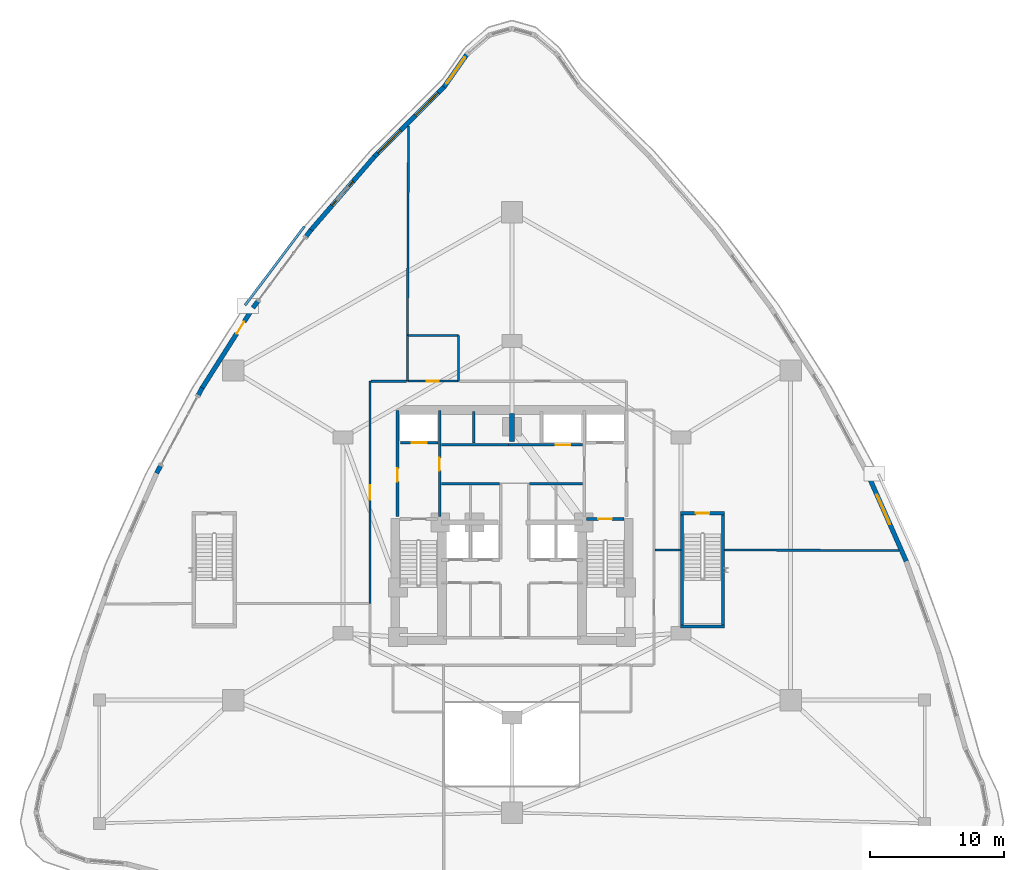
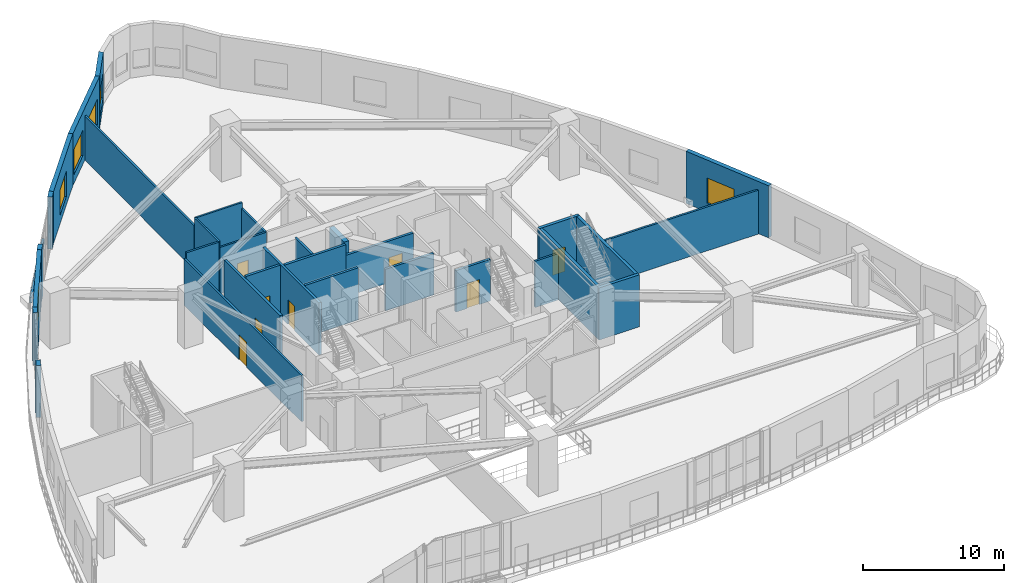
# One storey, part 17 of 25: 33 walls, 9 doors, 5 windows, 14 openings.
"""IFC4 building model written with IfcOpenShell, lengths in metres."""

from ifc_helpers import new_model, si_unit, direction, frame, frame_2d, origin, place, context, subcontext, project, spatial, rectangle, extrude, material, layer, layer_set, type_object, element, fill, save


model = new_model("IFC4")

# Units and contexts
model_context = context("Model", 3, precision=1e-05, world=origin(), true_north=direction((0.0, 1.0)))
body_context = subcontext(model_context, "Body", "Model", "MODEL_VIEW")
ifc_project = project(units=[si_unit("LENGTHUNIT", "METRE"), si_unit("AREAUNIT", "SQUARE_METRE"), si_unit("VOLUMEUNIT", "CUBIC_METRE"), si_unit("PLANEANGLEUNIT", "RADIAN"), si_unit("MASSUNIT", "GRAM", prefix="KILO")], contexts=[model_context])

# Site, building, storey
site_placement = place(None, origin())
site = spatial("IfcSite", under=ifc_project, at=site_placement, CompositionType="ELEMENT")
building_placement = place(site_placement, origin())
building = spatial("IfcBuilding", under=site, at=building_placement, Name="Miruveldt Soraemaru", CompositionType="ELEMENT")
storey_placement = place(building_placement, frame((0.0, 0.0, 4.800048828125)))
storey = spatial("IfcBuildingStorey", under=building, at=storey_placement, Name="L02", CompositionType="ELEMENT", Elevation=4.800048828125)

# Wall
ifc_material_1 = material(Name="Concrete C70/85 (70 MPa)", Category="concrete")
ifc_layer_1 = layer(ifc_material_1, 0.5, Name="Concrete C70/85 (70 MPa)", Category="concrete")
ifc_layer_set_1 = layer_set([ifc_layer_1], Name="Concrete C70/85 (70 MPa)")
wall_type_1 = type_object("IfcWallType", Name="WALL-BW-500", PredefinedType="SHEAR", material=ifc_layer_set_1)
wall_1_placement = place(storey_placement, frame((44.0, 50.10009765625, 0.0), z_axis=(0.0, 0.0, 1.0), x_axis=(0.0, 1.0, 0.0)))
element("IfcWall", 1, at=wall_1_placement, inside=storey, type_object=wall_type_1, Name="L02 Core Buttress Shear Wall BN", PredefinedType="SHEAR", context=body_context, shape_type="SweptSolid", body=[
    extrude(rectangle(XDim=2.099853515625, YDim=0.39990234375, at=frame_2d((1.0498046875, 0.0))), origin(), (0.0, 0.0, 1.0), 4.5),
])

# Wall, opening, door
ifc_material_2 = material(Name="Concrete C50/60 (50 MPa)", Category="concrete")
ifc_layer_2 = layer(ifc_material_2, 0.419921875, Name="Concrete C50/60 (50 MPa)", Category="concrete")
ifc_layer_set_2 = layer_set([ifc_layer_2], Name="Concrete C50/60 (50 MPa)")
wall_type_2 = type_object("IfcWallType", Name="WALL-CW-420", PredefinedType="SHEAR", material=ifc_layer_set_2)
wall_2_placement = place(storey_placement, frame((56.580078125, 44.75, 0.0), z_axis=(0.0, 0.0, 1.0), x_axis=(1.0, 0.0, 0.0)))
wall_2 = element("IfcWall", 2, at=wall_2_placement, inside=storey, type_object=wall_type_2, Name="L02 Podium Garden Feature Stair ST-4 Structural Shaft Wall N", PredefinedType="SHEAR", context=body_context, shape_type="SweptSolid", body=[
    extrude(rectangle(XDim=3.2900390625, YDim=0.239990234375, at=frame_2d((1.64501953125, 0.0))), origin(), (0.0, 0.0, 1.0), 4.5),
])
opening_1_placement = place(wall_2_placement, frame((1.14501953125, 0.0, 0.0)))
opening_1 = element("IfcOpeningElement", 3, at=opening_1_placement, cuts=wall_2, Name="Opening FD1", PredefinedType="OPENING", context=body_context, shape_type="SweptSolid", body=[
    extrude(rectangle(XDim=1.0, YDim=2.14990234375, at=frame_2d((0.5, 1.074951171875))), frame((0.0, 0.1298828125, 0.0), z_axis=(0.0, -1.0, 0.0), x_axis=(1.0, 0.0, 0.0)), (0.0, 0.0, 1.0), 0.260009765625),
])
ifc_material_3 = material(Name="Anodised aluminium EN AW-6063 T6", Category="aluminium")
door_type_1 = type_object("IfcDoorType", Name="DOOR-FD1-1000", OperationType="NOTDEFINED", PredefinedType="DOOR", material=ifc_material_3)
door_1_placement = place(opening_1_placement, frame((1.0, 0.0, 0.0), z_axis=(0.0, 0.0, 1.0), x_axis=(-1.0, 0.0, 0.0)))
door_1 = element("IfcDoor", 4, at=door_1_placement, inside=storey, type_object=door_type_1, Name="L02 Podium Garden Feature Stair ST-4 Fire Door", OperationType="SINGLE_SWING_LEFT", OverallHeight=2.14990234375, OverallWidth=1.0, PredefinedType="DOOR", context=body_context, shape_type="SweptSolid", body=[
    extrude(rectangle(XDim=1.0, YDim=2.14990234375, at=frame_2d((0.5, 1.074951171875))), frame((0.0, 0.02490234375, 0.0), z_axis=(0.0, -1.0, 0.0), x_axis=(1.0, 0.0, 0.0)), (0.0, 0.0, 1.0), 0.050048828125),
])
fill(opening_1, door_1)

# Walls
for number, where, z_axis, x_axis, name in (
    (5, (56.699951171875, 36.35009765625, 0.0), (0.0, 0.0, 1.0), (0.0, 1.0, 0.0), "L02 Podium Garden Feature Stair ST-4 Structural Shaft Wall W"),
    (6, (59.75, 36.35009765625, 0.0), (0.0, 0.0, 1.0), (0.0, 1.0, 0.0), "L02 Podium Garden Feature Stair ST-4 Structural Shaft Wall E"),
):
    element("IfcWall", number, at=place(storey_placement, frame(where, z_axis=z_axis, x_axis=x_axis)), inside=storey, type_object=wall_type_2, Name=name, PredefinedType="SHEAR", context=body_context, shape_type="SweptSolid", body=[
        extrude(rectangle(XDim=8.349853515625, YDim=0.239990234375, at=frame_2d((4.1748046875, 0.0))), origin(), (0.0, 0.0, 1.0), 4.5),
    ])
wall_3_placement = place(storey_placement, frame((56.580078125, 36.300048828125, 0.0), z_axis=(0.0, 0.0, 1.0), x_axis=(1.0, 0.0, 0.0)))
element("IfcWall", 7, at=wall_3_placement, inside=storey, type_object=wall_type_2, Name="L02 Podium Garden Feature Stair ST-4 Structural Shaft Wall S", PredefinedType="SHEAR", context=body_context, shape_type="SweptSolid", body=[
    extrude(rectangle(XDim=3.2900390625, YDim=0.239990234375, at=frame_2d((1.64501953125, 0.0))), origin(), (0.0, 0.0, 1.0), 4.5),
])

# Wall, opening, window
ifc_material_4 = material(Name="Precast concrete C45/55 (45 MPa)", Category="concrete")
ifc_layer_3 = layer(ifc_material_4, 0.340087890625, Name="Precast concrete C45/55 (45 MPa)", Category="concrete")
ifc_layer_set_3 = layer_set([ifc_layer_3], Name="Precast concrete C45/55 (45 MPa)")
wall_type_3 = type_object("IfcWallType", Name="WALL-EXT-PC340", PredefinedType="SOLIDWALL", material=ifc_layer_set_3)
wall_4_placement = place(storey_placement, frame((40.650146484375, 79.01953125, 0.0), z_axis=(0.0, 0.0, 1.0), x_axis=(-0.573413332859, -0.819266226387, 0.0)))
wall_4 = element("IfcWall", 8, at=wall_4_placement, inside=storey, type_object=wall_type_3, Name="L02 Precast Concrete Facade Wall 6", PredefinedType="SOLIDWALL", context=body_context, shape_type="SweptSolid", body=[
    extrude(rectangle(XDim=3.0087890625, YDim=0.340087890625, at=frame_2d((1.50439453125, 0.0))), origin(), (0.0, 0.0, 1.0), 4.5),
])
opening_2_placement = place(wall_4_placement, frame((0.304931640625, 0.0, 0.75)))
opening_2 = element("IfcOpeningElement", 9, at=opening_2_placement, cuts=wall_4, Name="Opening WN-5", PredefinedType="OPENING", context=body_context, shape_type="SweptSolid", body=[
    extrude(rectangle(XDim=2.39990234375, YDim=2.199951171875, at=frame_2d((1.199951171875, 1.10009765625))), frame((0.0, 0.18017578125, 0.0), z_axis=(0.0, -1.0, 0.0), x_axis=(1.0, 0.0, 0.0)), (0.0, 0.0, 1.0), 0.360107421875),
])
ifc_material_5 = material(Name="Triple low-e insulated glazing", Category="glass")
window_type = type_object("IfcWindowType", Name="WIN-PODM-2400x2200", PartitioningType="SINGLE_PANEL", PredefinedType="WINDOW", material=ifc_material_5)
window_1_placement = place(opening_2_placement, origin())
window_1 = element("IfcWindow", 10, at=window_1_placement, inside=storey, type_object=window_type, Name="L02 Punched Triple-Glazed Window 06.1", OverallHeight=2.199951171875, OverallWidth=2.39990234375, PartitioningType="SINGLE_PANEL", PredefinedType="WINDOW", context=body_context, shape_type="SweptSolid", body=[
    extrude(rectangle(XDim=2.39990234375, YDim=2.199951171875, at=frame_2d((1.199951171875, 1.10009765625))), frame((0.0, 0.030029296875, 0.0), z_axis=(0.0, -1.0, 0.0), x_axis=(1.0, 0.0, 0.0)), (0.0, 0.0, 1.0), 0.06005859375),
])
fill(opening_2, window_1)

# Wall, openings, windows
wall_5_placement = place(storey_placement, frame((38.9697265625, 76.60791015625, 0.0), z_axis=(0.0, 0.0, 1.0), x_axis=(-0.706565985712, -0.707647163377, 0.0)))
wall_5 = element("IfcWall", 11, at=wall_5_placement, inside=storey, type_object=wall_type_3, Name="L02 Precast Concrete Facade Wall 7", PredefinedType="SOLIDWALL", context=body_context, shape_type="SweptSolid", body=[
    extrude(rectangle(XDim=7.45166015625, YDim=0.340087890625, at=frame_2d((3.725830078125, 0.0))), origin(), (0.0, 0.0, 1.0), 4.5),
])
opening_3_placement = place(wall_5_placement, frame((0.679931640625, 0.0, 0.75)))
opening_3 = element("IfcOpeningElement", 12, at=opening_3_placement, cuts=wall_5, Name="Opening WN-5", PredefinedType="OPENING", context=body_context, shape_type="SweptSolid", body=[
    extrude(rectangle(XDim=2.39990234375, YDim=2.199951171875, at=frame_2d((1.199951171875, 1.10009765625))), frame((0.0, 0.18017578125, 0.0), z_axis=(0.0, -1.0, 0.0), x_axis=(1.0, 0.0, 0.0)), (0.0, 0.0, 1.0), 0.360107421875),
])
opening_4_placement = place(wall_5_placement, frame((4.64599609375, 0.0, 0.75)))
opening_4 = element("IfcOpeningElement", 13, at=opening_4_placement, cuts=wall_5, Name="Opening WN-5", PredefinedType="OPENING", context=body_context, shape_type="SweptSolid", body=[
    extrude(rectangle(XDim=2.39990234375, YDim=2.199951171875, at=frame_2d((1.199951171875, 1.10009765625))), frame((0.0, 0.18017578125, 0.0), z_axis=(0.0, -1.0, 0.0), x_axis=(1.0, 0.0, 0.0)), (0.0, 0.0, 1.0), 0.360107421875),
])
window_2_placement = place(opening_3_placement, origin())
window_2 = element("IfcWindow", 14, at=window_2_placement, inside=storey, type_object=window_type, Name="L02 Punched Triple-Glazed Window 07.1", OverallHeight=2.199951171875, OverallWidth=2.39990234375, PartitioningType="SINGLE_PANEL", PredefinedType="WINDOW", context=body_context, shape_type="SweptSolid", body=[
    extrude(rectangle(XDim=2.39990234375, YDim=2.199951171875, at=frame_2d((1.199951171875, 1.10009765625))), frame((0.0, 0.030029296875, 0.0), z_axis=(0.0, -1.0, 0.0), x_axis=(1.0, 0.0, 0.0)), (0.0, 0.0, 1.0), 0.06005859375),
])
fill(opening_3, window_2)
window_3_placement = place(opening_4_placement, origin())
window_3 = element("IfcWindow", 15, at=window_3_placement, inside=storey, type_object=window_type, Name="L02 Punched Triple-Glazed Window 07.2", OverallHeight=2.199951171875, OverallWidth=2.39990234375, PartitioningType="SINGLE_PANEL", PredefinedType="WINDOW", context=body_context, shape_type="SweptSolid", body=[
    extrude(rectangle(XDim=2.39990234375, YDim=2.199951171875, at=frame_2d((1.199951171875, 1.10009765625))), frame((0.0, 0.030029296875, 0.0), z_axis=(0.0, -1.0, 0.0), x_axis=(1.0, 0.0, 0.0)), (0.0, 0.0, 1.0), 0.06005859375),
])
fill(opening_4, window_3)

# Wall, opening, window
wall_6_placement = place(storey_placement, frame((33.752197265625, 71.385986328125, 0.0), z_axis=(0.0, 0.0, 1.0), x_axis=(-0.654356245841, -0.756186421148, 0.0)))
wall_6 = element("IfcWall", 16, at=wall_6_placement, inside=storey, type_object=wall_type_3, Name="L02 Precast Concrete Facade Wall 8", PredefinedType="SOLIDWALL", context=body_context, shape_type="SweptSolid", body=[
    extrude(rectangle(XDim=7.333984375, YDim=0.340087890625, at=frame_2d((3.6669921875, 0.0))), origin(), (0.0, 0.0, 1.0), 4.5),
])
opening_5_placement = place(wall_6_placement, frame((2.467041015625, 0.0, 0.75)))
opening_5 = element("IfcOpeningElement", 17, at=opening_5_placement, cuts=wall_6, Name="Opening WN-5", PredefinedType="OPENING", context=body_context, shape_type="SweptSolid", body=[
    extrude(rectangle(XDim=2.39990234375, YDim=2.199951171875, at=frame_2d((1.199951171875, 1.10009765625))), frame((0.0, 0.18017578125, 0.0), z_axis=(0.0, -1.0, 0.0), x_axis=(1.0, 0.0, 0.0)), (0.0, 0.0, 1.0), 0.360107421875),
])
window_4_placement = place(opening_5_placement, origin())
window_4 = element("IfcWindow", 18, at=window_4_placement, inside=storey, type_object=window_type, Name="L02 Punched Triple-Glazed Window 08.1", OverallHeight=2.199951171875, OverallWidth=2.39990234375, PartitioningType="SINGLE_PANEL", PredefinedType="WINDOW", context=body_context, shape_type="SweptSolid", body=[
    extrude(rectangle(XDim=2.39990234375, YDim=2.199951171875, at=frame_2d((1.199951171875, 1.10009765625))), frame((0.0, 0.030029296875, 0.0), z_axis=(0.0, -1.0, 0.0), x_axis=(1.0, 0.0, 0.0)), (0.0, 0.0, 1.0), 0.06005859375),
])
fill(opening_5, window_4)

# Walls
for number, where, z_axis, x_axis, name in (
    (19, (28.996826171875, 65.89453125, 0.0), (0.0, 0.0, 1.0), (-0.597114441506, -0.802156059471, 0.0), "L02 Precast Pier Left 9"),
    (20, (25.085205078125, 60.640869140625, 0.0), (0.0, 0.0, 1.0), (-0.597114441506, -0.802156059471, 0.0), "L02 Precast Pier Right 9"),
):
    element("IfcWall", number, at=place(storey_placement, frame(where, z_axis=z_axis, x_axis=x_axis)), inside=storey, type_object=wall_type_3, Name=name, PredefinedType="SOLIDWALL", context=body_context, shape_type="SweptSolid", body=[
        extrude(rectangle(XDim=0.704833984375, YDim=0.340087890625, at=frame_2d((0.3525390625, 0.0))), origin(), (0.0, 0.0, 1.0), 4.5),
    ])

# Wall, opening, door
wall_7_placement = place(storey_placement, frame((24.7041015625, 60.133056640625, 0.0), z_axis=(0.0, 0.0, 1.0), x_axis=(-0.535802171835, -0.844343551321, 0.0)))
wall_7 = element("IfcWall", 21, at=wall_7_placement, inside=storey, type_object=wall_type_3, Name="L02 Precast Concrete Facade Wall 10", PredefinedType="SOLIDWALL", context=body_context, shape_type="SweptSolid", body=[
    extrude(rectangle(XDim=7.21484375, YDim=0.340087890625, at=frame_2d((3.607421875, 0.0))), origin(), (0.0, 0.0, 1.0), 4.5),
])
opening_6_placement = place(wall_7_placement, frame((1.301025390625, 0.0, 0.0)))
opening_6 = element("IfcOpeningElement", 22, at=opening_6_placement, cuts=wall_7, Name="Opening TD-1", PredefinedType="OPENING", context=body_context, shape_type="SweptSolid", body=[
    extrude(rectangle(XDim=1.050048828125, YDim=2.14990234375, at=frame_2d((0.52490234375, 1.074951171875))), frame((0.0, 0.18017578125, 0.0), z_axis=(0.0, -1.0, 0.0), x_axis=(1.0, 0.0, 0.0)), (0.0, 0.0, 1.0), 0.360107421875),
])
door_type_2 = type_object("IfcDoorType", Name="DOOR-TER-1050", OperationType="NOTDEFINED", PredefinedType="DOOR", material=ifc_material_3)
door_2_placement = place(opening_6_placement, frame((1.050048828125, 0.0, 0.0), z_axis=(0.0, 0.0, 1.0), x_axis=(-1.0, 0.0, 0.0)))
door_2 = element("IfcDoor", 23, at=door_2_placement, inside=storey, type_object=door_type_2, Name="L02 Terrace Access Glazed Door 10", OperationType="SINGLE_SWING_RIGHT", OverallHeight=2.14990234375, OverallWidth=1.050048828125, PredefinedType="DOOR", context=body_context, shape_type="SweptSolid", body=[
    extrude(rectangle(XDim=1.050048828125, YDim=2.14990234375, at=frame_2d((0.52490234375, 1.074951171875))), frame((0.0, 0.02490234375, 0.0), z_axis=(0.0, -1.0, 0.0), x_axis=(1.0, 0.0, 0.0)), (0.0, 0.0, 1.0), 0.050048828125),
])
fill(opening_6, door_2)

# Walls
wall_8_placement = place(storey_placement, frame((20.873779296875, 54.101806640625, 0.0), z_axis=(0.0, 0.0, 1.0), x_axis=(-0.471145137046, -0.882055701097, 0.0)))
element("IfcWall", 24, at=wall_8_placement, inside=storey, type_object=wall_type_3, Name="L02 Precast Pier Left 11", PredefinedType="SOLIDWALL", context=body_context, shape_type="SweptSolid", body=[
    extrude(rectangle(XDim=0.705322265625, YDim=0.340087890625, at=frame_2d((0.3525390625, 0.0))), origin(), (0.0, 0.0, 1.0), 4.5),
])
wall_9_placement = place(storey_placement, frame((17.80712890625, 48.359130859375, 0.0), z_axis=(0.0, 0.0, 1.0), x_axis=(-0.471163543588, -0.882045869099, 0.0)))
element("IfcWall", 25, at=wall_9_placement, inside=storey, type_object=wall_type_3, Name="L02 Precast Pier Right 11", PredefinedType="SOLIDWALL", context=body_context, shape_type="SweptSolid", body=[
    extrude(rectangle(XDim=0.70458984375, YDim=0.340087890625, at=frame_2d((0.352294921875, 0.0))), origin(), (0.0, 0.0, 1.0), 4.5),
])

# Wall, opening, window
wall_10_placement = place(storey_placement, frame((73.42529296875, 41.164306640625, 0.0), z_axis=(0.0, 0.0, 1.0), x_axis=(-0.40401716618, 0.914751403077, 0.0)))
wall_10 = element("IfcWall", 26, at=wall_10_placement, inside=storey, type_object=wall_type_3, Name="L02 Precast Concrete Facade Wall 37", PredefinedType="SOLIDWALL", context=body_context, shape_type="SweptSolid", body=[
    extrude(rectangle(XDim=7.25439453125, YDim=0.340087890625, at=frame_2d((3.627197265625, 0.0))), origin(), (0.0, 0.0, 1.0), 4.5),
])
opening_7_placement = place(wall_10_placement, frame((3.02197265625, 0.0, 0.75)))
opening_7 = element("IfcOpeningElement", 27, at=opening_7_placement, cuts=wall_10, Name="Opening WN-5", PredefinedType="OPENING", context=body_context, shape_type="SweptSolid", body=[
    extrude(rectangle(XDim=2.39990234375, YDim=2.199951171875, at=frame_2d((1.199951171875, 1.10009765625))), frame((0.0, 0.18017578125, 0.0), z_axis=(0.0, -1.0, 0.0), x_axis=(1.0, 0.0, 0.0)), (0.0, 0.0, 1.0), 0.360107421875),
])
window_5_placement = place(opening_7_placement, origin())
window_5 = element("IfcWindow", 28, at=window_5_placement, inside=storey, type_object=window_type, Name="L02 Punched Triple-Glazed Window 37.1", OverallHeight=2.199951171875, OverallWidth=2.39990234375, PartitioningType="SINGLE_PANEL", PredefinedType="WINDOW", context=body_context, shape_type="SweptSolid", body=[
    extrude(rectangle(XDim=2.39990234375, YDim=2.199951171875, at=frame_2d((1.199951171875, 1.10009765625))), frame((0.0, 0.030029296875, 0.0), z_axis=(0.0, -1.0, 0.0), x_axis=(1.0, 0.0, 0.0)), (0.0, 0.0, 1.0), 0.06005859375),
])
fill(opening_7, window_5)

# Wall, opening, door
ifc_material_6 = material(Name="Gypsum plasterboard lining", Category="gypsum")
ifc_layer_4 = layer(ifc_material_6, 0.14990234375, Name="Gypsum plasterboard lining", Category="gypsum")
ifc_layer_set_4 = layer_set([ifc_layer_4], Name="Gypsum plasterboard lining")
wall_type_4 = type_object("IfcWallType", Name="WALL-INT-PLUMB", PredefinedType="PLUMBINGWALL", material=ifc_layer_set_4)
wall_11_placement = place(storey_placement, frame((40.0, 54.60009765625, 0.0), z_axis=(0.0, 0.0, 1.0), x_axis=(-1.0, 0.0, 0.0)))
wall_11 = element("IfcWall", 29, at=wall_11_placement, inside=storey, type_object=wall_type_4, Name="L02 Partition Wall 1", PredefinedType="PLUMBINGWALL", context=body_context, shape_type="SweptSolid", body=[
    extrude(rectangle(XDim=3.800048828125, YDim=0.14990234375, at=frame_2d((1.89990234375, 0.0))), origin(), (0.0, 0.0, 1.0), 4.0),
])
opening_8_placement = place(wall_11_placement, frame((1.449951171875, 0.0, 0.0)))
opening_8 = element("IfcOpeningElement", 30, at=opening_8_placement, cuts=wall_11, Name="Opening D3", PredefinedType="OPENING", context=body_context, shape_type="SweptSolid", body=[
    extrude(rectangle(XDim=0.89990234375, YDim=2.10009765625, at=frame_2d((0.449951171875, 1.050048828125))), frame((0.0, 0.0849609375, 0.0), z_axis=(0.0, -1.0, 0.0), x_axis=(1.0, 0.0, 0.0)), (0.0, 0.0, 1.0), 0.169921875),
])
door_type_3 = type_object("IfcDoorType", Name="DOOR-INT-900", OperationType="NOTDEFINED", PredefinedType="DOOR", material=ifc_material_3)
door_3_placement = place(opening_8_placement, origin())
door_3 = element("IfcDoor", 31, at=door_3_placement, inside=storey, type_object=door_type_3, Name="L02 Public Male Restroom Door", OperationType="SINGLE_SWING_RIGHT", OverallHeight=2.10009765625, OverallWidth=0.89990234375, PredefinedType="DOOR", context=body_context, shape_type="SweptSolid", body=[
    extrude(rectangle(XDim=0.89990234375, YDim=2.10009765625, at=frame_2d((0.449951171875, 1.050048828125))), frame((0.0, 0.02490234375, 0.0), z_axis=(0.0, -1.0, 0.0), x_axis=(1.0, 0.0, 0.0)), (0.0, 0.0, 1.0), 0.050048828125),
])
fill(opening_8, door_3)

# Walls
wall_12_placement = place(storey_placement, frame((40.0, 58.0, 0.0), z_axis=(0.0, 0.0, 1.0), x_axis=(-1.0, 0.0, 0.0)))
element("IfcWall", 32, at=wall_12_placement, inside=storey, type_object=wall_type_4, Name="L02 Partition Wall 17", PredefinedType="PLUMBINGWALL", context=body_context, shape_type="SweptSolid", body=[
    extrude(rectangle(XDim=3.800048828125, YDim=0.14990234375, at=frame_2d((1.89990234375, 0.0))), origin(), (0.0, 0.0, 1.0), 4.5),
])
wall_13_placement = place(storey_placement, frame((36.199951171875, 58.0, 0.0), z_axis=(0.0, 0.0, 1.0), x_axis=(0.0, -1.0, 0.0)))
element("IfcWall", 33, at=wall_13_placement, inside=storey, type_object=wall_type_4, Name="L02 Partition Wall 15", PredefinedType="PLUMBINGWALL", context=body_context, shape_type="SweptSolid", body=[
    extrude(rectangle(XDim=3.39990234375, YDim=0.14990234375, at=frame_2d((1.699951171875, 0.0))), origin(), (0.0, 0.0, 1.0), 4.5),
])
wall_14_placement = place(storey_placement, frame((40.0, 54.60009765625, 0.0), z_axis=(0.0, 0.0, 1.0), x_axis=(0.0, 1.0, 0.0)))
element("IfcWall", 34, at=wall_14_placement, inside=storey, type_object=wall_type_4, Name="L02 Partition Wall 16", PredefinedType="PLUMBINGWALL", context=body_context, shape_type="SweptSolid", body=[
    extrude(rectangle(XDim=3.39990234375, YDim=0.14990234375, at=frame_2d((1.699951171875, 0.0))), origin(), (0.0, 0.0, 1.0), 4.0),
])

# Wall, opening, door
ifc_material_7 = material(Name="Concrete C40/50 (40 MPa)", Category="concrete")
ifc_layer_5 = layer(ifc_material_7, 0.159912109375, Name="Concrete C40/50 (40 MPa)", Category="concrete")
ifc_layer_set_5 = layer_set([ifc_layer_5], Name="Concrete C40/50 (40 MPa)")
wall_type_5 = type_object("IfcWallType", Name="WALL-INT-RC160", PredefinedType="SOLIDWALL", material=ifc_layer_set_5)
wall_15_placement = place(storey_placement, frame((33.39990234375, 54.60009765625, 0.0), z_axis=(0.0, 0.0, 1.0), x_axis=(0.0, -1.0, 0.0)))
wall_15 = element("IfcWall", 35, at=wall_15_placement, inside=storey, type_object=wall_type_5, Name="L02 Partition Wall 10", PredefinedType="SOLIDWALL", context=body_context, shape_type="SweptSolid", body=[
    extrude(rectangle(XDim=16.60009765625, YDim=0.159912109375, at=frame_2d((8.300048828125, 0.0))), origin(), (0.0, 0.0, 1.0), 4.0),
])
opening_9_placement = place(wall_15_placement, frame((7.75, 0.0, 0.0)))
opening_9 = element("IfcOpeningElement", 36, at=opening_9_placement, cuts=wall_15, Name="Opening FD1A", PredefinedType="OPENING", context=body_context, shape_type="SweptSolid", body=[
    extrude(rectangle(XDim=1.10009765625, YDim=2.14990234375, at=frame_2d((0.550048828125, 1.074951171875))), frame((0.0, 0.08984375, 0.0), z_axis=(0.0, -1.0, 0.0), x_axis=(1.0, 0.0, 0.0)), (0.0, 0.0, 1.0), 0.179931640625),
])
door_type_4 = type_object("IfcDoorType", Name="DOOR-FD1-1100", OperationType="NOTDEFINED", PredefinedType="DOOR", material=ifc_material_3)
door_4_placement = place(opening_9_placement, origin())
door_4 = element("IfcDoor", 37, at=door_4_placement, inside=storey, type_object=door_type_4, Name="L02 Community Co-Working Salon Entrance Door", OperationType="SINGLE_SWING_LEFT", OverallHeight=2.14990234375, OverallWidth=1.10009765625, PredefinedType="DOOR", context=body_context, shape_type="SweptSolid", body=[
    extrude(rectangle(XDim=1.10009765625, YDim=2.14990234375, at=frame_2d((0.550048828125, 1.074951171875))), frame((0.0, 0.02490234375, 0.0), z_axis=(0.0, -1.0, 0.0), x_axis=(1.0, 0.0, 0.0)), (0.0, 0.0, 1.0), 0.050048828125),
])
fill(opening_9, door_4)

# Walls
wall_16_placement = place(storey_placement, frame((36.199951171875, 58.0, 0.0), z_axis=(0.0, 0.0, 1.0), x_axis=(0.0047276738, 0.999988824488, 0.0)))
element("IfcWall", 38, at=wall_16_placement, inside=storey, type_object=wall_type_5, Name="L02 Partition Wall 29", PredefinedType="SOLIDWALL", context=body_context, shape_type="SweptSolid", body=[
    extrude(rectangle(XDim=15.647216796875, YDim=0.159912109375, at=frame_2d((7.82373046875, 0.0))), origin(), (0.0, 0.0, 1.0), 3.787841796875),
])
wall_17_placement = place(storey_placement, frame((72.873046875, 41.9580078125, 0.0), z_axis=(0.0, 0.0, 1.0), x_axis=(-0.999994817364, 0.003219510119, 0.0)))
element("IfcWall", 39, at=wall_17_placement, inside=storey, type_object=wall_type_5, Name="L02 Partition Wall 27", PredefinedType="SOLIDWALL", context=body_context, shape_type="SweptSolid", body=[
    extrude(rectangle(XDim=13.04296875, YDim=0.159912109375, at=frame_2d((6.521484375, 0.0))), origin(), (0.0, 0.0, 1.0), 3.787841796875),
])
wall_18_placement = place(storey_placement, frame((36.1201171875, 54.60009765625, 0.0), z_axis=(0.0, 0.0, 1.0), x_axis=(-1.0, 0.0, 0.0)))
element("IfcWall", 40, at=wall_18_placement, inside=storey, type_object=wall_type_5, Name="L02 Partition Wall 9", PredefinedType="SOLIDWALL", context=body_context, shape_type="SweptSolid", body=[
    extrude(rectangle(XDim=2.64013671875, YDim=0.159912109375, at=frame_2d((1.320068359375, 0.0))), origin(), (0.0, 0.0, 1.0), 4.5),
])
wall_19_placement = place(storey_placement, frame((41.14990234375, 49.97998046875, 0.0), z_axis=(0.0, 0.0, 1.0), x_axis=(0.0, 1.0, 0.0)))
element("IfcWall", 41, at=wall_19_placement, inside=storey, type_object=wall_type_5, Name="L02 Core Compartment Wall PLH-DIV1", PredefinedType="SOLIDWALL", context=body_context, shape_type="SweptSolid", body=[
    extrude(rectangle(XDim=2.3701171875, YDim=0.159912109375, at=frame_2d((1.18505859375, 0.0))), origin(), (0.0, 0.0, 1.0), 4.5),
])
wall_20_placement = place(storey_placement, frame((56.6201171875, 42.0, 0.0), z_axis=(0.0, 0.0, 1.0), x_axis=(-1.0, 0.0, 0.0)))
element("IfcWall", 42, at=wall_20_placement, inside=storey, type_object=wall_type_5, Name="L02 Partition Wall 28", PredefinedType="SOLIDWALL", context=body_context, shape_type="SweptSolid", body=[
    extrude(rectangle(XDim=1.940185546875, YDim=0.159912109375, at=frame_2d((0.97021484375, 0.0))), origin(), (0.0, 0.0, 1.0), 4.0),
])

# Wall, opening, door
ifc_layer_6 = layer(ifc_material_7, 0.199951171875, Name="Concrete C40/50 (40 MPa)", Category="concrete")
ifc_layer_set_6 = layer_set([ifc_layer_6], Name="Concrete C40/50 (40 MPa)")
wall_type_6 = type_object("IfcWallType", Name="WALL-INT-RC200", PredefinedType="SOLIDWALL", material=ifc_layer_set_6)
wall_21_placement = place(storey_placement, frame((35.449951171875, 44.5, 0.0), z_axis=(0.0, 0.0, 1.0), x_axis=(0.0, 1.0, 0.0)))
wall_21 = element("IfcWall", 43, at=wall_21_placement, inside=storey, type_object=wall_type_6, Name="L02 Core Compartment Wall FFW-OUT", PredefinedType="SOLIDWALL", context=body_context, shape_type="SweptSolid", body=[
    extrude(rectangle(XDim=7.919921875, YDim=0.199951171875, at=frame_2d((3.9599609375, 0.0))), origin(), (0.0, 0.0, 1.0), 4.5),
])
opening_10_placement = place(wall_21_placement, frame((2.60009765625, 0.0, 0.0)))
opening_10 = element("IfcOpeningElement", 44, at=opening_10_placement, cuts=wall_21, Name="Opening FD1", PredefinedType="OPENING", context=body_context, shape_type="SweptSolid", body=[
    extrude(rectangle(XDim=1.0, YDim=2.14990234375, at=frame_2d((0.5, 1.074951171875))), frame((0.0, 0.10986328125, 0.0), z_axis=(0.0, -1.0, 0.0), x_axis=(1.0, 0.0, 0.0)), (0.0, 0.0, 1.0), 0.219970703125),
])
door_5_placement = place(opening_10_placement, origin())
door_5 = element("IfcDoor", 45, at=door_5_placement, inside=storey, type_object=door_type_1, Name="L02 West Firefighting Lobby Exit Door", OperationType="SINGLE_SWING_LEFT", OverallHeight=2.14990234375, OverallWidth=1.0, PredefinedType="DOOR", context=body_context, shape_type="SweptSolid", body=[
    extrude(rectangle(XDim=1.0, YDim=2.14990234375, at=frame_2d((0.5, 1.074951171875))), frame((0.0, 0.02490234375, 0.0), z_axis=(0.0, -1.0, 0.0), x_axis=(1.0, 0.0, 0.0)), (0.0, 0.0, 1.0), 0.050048828125),
])
fill(opening_10, door_5)

wall_22_placement = place(storey_placement, frame((38.60009765625, 44.5, 0.0), z_axis=(0.0, 0.0, 1.0), x_axis=(0.0, 1.0, 0.0)))
wall_22 = element("IfcWall", 46, at=wall_22_placement, inside=storey, type_object=wall_type_6, Name="L02 Core Compartment Wall FFW-IN", PredefinedType="SOLIDWALL", context=body_context, shape_type="SweptSolid", body=[
    extrude(rectangle(XDim=7.919921875, YDim=0.199951171875, at=frame_2d((3.9599609375, 0.0))), origin(), (0.0, 0.0, 1.0), 4.5),
])
opening_11_placement = place(wall_22_placement, frame((3.425048828125, 0.0, 0.0)))
opening_11 = element("IfcOpeningElement", 47, at=opening_11_placement, cuts=wall_22, Name="Opening FD2", PredefinedType="OPENING", context=body_context, shape_type="SweptSolid", body=[
    extrude(rectangle(XDim=0.949951171875, YDim=2.14990234375, at=frame_2d((0.47509765625, 1.074951171875))), frame((0.0, 0.10986328125, 0.0), z_axis=(0.0, -1.0, 0.0), x_axis=(1.0, 0.0, 0.0)), (0.0, 0.0, 1.0), 0.219970703125),
])
door_type_5 = type_object("IfcDoorType", Name="DOOR-FD2-950", OperationType="NOTDEFINED", PredefinedType="DOOR", material=ifc_material_3)
door_6_placement = place(opening_11_placement, frame((0.949951171875, 0.0, 0.0), z_axis=(0.0, 0.0, 1.0), x_axis=(-1.0, 0.0, 0.0)))
door_6 = element("IfcDoor", 48, at=door_6_placement, inside=storey, type_object=door_type_5, Name="L02 Lift Lobby to West Fire Lobby Door", OperationType="SINGLE_SWING_RIGHT", OverallHeight=2.14990234375, OverallWidth=0.949951171875, PredefinedType="DOOR", context=body_context, shape_type="SweptSolid", body=[
    extrude(rectangle(XDim=0.949951171875, YDim=2.14990234375, at=frame_2d((0.47509765625, 1.074951171875))), frame((0.0, 0.02490234375, 0.0), z_axis=(0.0, -1.0, 0.0), x_axis=(1.0, 0.0, 0.0)), (0.0, 0.0, 1.0), 0.050048828125),
])
fill(opening_11, door_6)

wall_23_placement = place(storey_placement, frame((43.75, 49.85009765625, 0.0), z_axis=(0.0, 0.0, 1.0), x_axis=(1.0, 0.0, 0.0)))
wall_23 = element("IfcWall", 49, at=wall_23_placement, inside=storey, type_object=wall_type_6, Name="L02 Core Compartment Wall ROWA-SE", PredefinedType="SOLIDWALL", context=body_context, shape_type="SweptSolid", body=[
    extrude(rectangle(XDim=5.5, YDim=0.199951171875, at=frame_2d((2.75, 0.0))), origin(), (0.0, 0.0, 1.0), 3.587890625),
])
opening_12_placement = place(wall_23_placement, frame((3.5, 0.0, 0.0)))
opening_12 = element("IfcOpeningElement", 50, at=opening_12_placement, cuts=wall_23, Name="Opening LD2", PredefinedType="OPENING", context=body_context, shape_type="SweptSolid", body=[
    extrude(rectangle(XDim=1.10009765625, YDim=2.14990234375, at=frame_2d((0.550048828125, 1.074951171875))), frame((0.0, 0.10986328125, 0.0), z_axis=(0.0, -1.0, 0.0), x_axis=(1.0, 0.0, 0.0)), (0.0, 0.0, 1.0), 0.219970703125),
])
door_type_6 = type_object("IfcDoorType", Name="DOOR-LD2-1100", OperationType="SLIDING_TO_LEFT", PredefinedType="DOOR", material=ifc_material_3)
door_7_placement = place(opening_12_placement, origin())
door_7 = element("IfcDoor", 51, at=door_7_placement, inside=storey, type_object=door_type_6, Name="L02 SL-1 Landing Door", OperationType="SLIDING_TO_LEFT", OverallHeight=2.14990234375, OverallWidth=1.10009765625, PredefinedType="DOOR", context=body_context, shape_type="SweptSolid", body=[
    extrude(rectangle(XDim=1.10009765625, YDim=2.14990234375, at=frame_2d((0.550048828125, 1.074951171875))), frame((0.0, 0.02490234375, 0.0), z_axis=(0.0, -1.0, 0.0), x_axis=(1.0, 0.0, 0.0)), (0.0, 0.0, 1.0), 0.050048828125),
])
fill(opening_12, door_7)

wall_24_placement = place(storey_placement, frame((49.550048828125, 44.320068359375, 0.0), z_axis=(0.0, 0.0, 1.0), x_axis=(1.0, 0.0, 0.0)))
wall_24 = element("IfcWall", 52, at=wall_24_placement, inside=storey, type_object=wall_type_6, Name="L02 Core Compartment Wall ST2-N", PredefinedType="SOLIDWALL", context=body_context, shape_type="SweptSolid", body=[
    extrude(rectangle(XDim=2.800048828125, YDim=0.199951171875, at=frame_2d((1.39990234375, 0.0))), origin(), (0.0, 0.0, 1.0), 3.587890625),
])
opening_13_placement = place(wall_24_placement, frame((0.89990234375, 0.0, 0.0)))
opening_13 = element("IfcOpeningElement", 53, at=opening_13_placement, cuts=wall_24, Name="Opening FD1", PredefinedType="OPENING", context=body_context, shape_type="SweptSolid", body=[
    extrude(rectangle(XDim=1.0, YDim=2.14990234375, at=frame_2d((0.5, 1.074951171875))), frame((0.0, 0.10986328125, 0.0), z_axis=(0.0, -1.0, 0.0), x_axis=(1.0, 0.0, 0.0)), (0.0, 0.0, 1.0), 0.219970703125),
])
door_8_placement = place(opening_13_placement, frame((1.0, 0.0, 0.0), z_axis=(0.0, 0.0, 1.0), x_axis=(-1.0, 0.0, 0.0)))
door_8 = element("IfcDoor", 54, at=door_8_placement, inside=storey, type_object=door_type_1, Name="L02 Stair ST-2 Fire Door", OperationType="SINGLE_SWING_RIGHT", OverallHeight=2.14990234375, OverallWidth=1.0, PredefinedType="DOOR", context=body_context, shape_type="SweptSolid", body=[
    extrude(rectangle(XDim=1.0, YDim=2.14990234375, at=frame_2d((0.5, 1.074951171875))), frame((0.0, 0.02490234375, 0.0), z_axis=(0.0, -1.0, 0.0), x_axis=(1.0, 0.0, 0.0)), (0.0, 0.0, 1.0), 0.050048828125),
])
fill(opening_13, door_8)

wall_25_placement = place(storey_placement, frame((35.679931640625, 50.0, 0.0), z_axis=(0.0, 0.0, 1.0), x_axis=(1.0, 0.0, 0.0)))
wall_25 = element("IfcWall", 55, at=wall_25_placement, inside=storey, type_object=wall_type_6, Name="L02 Core Compartment Wall FFL1-S", PredefinedType="SOLIDWALL", context=body_context, shape_type="SweptSolid", body=[
    extrude(rectangle(XDim=2.800048828125, YDim=0.199951171875, at=frame_2d((1.39990234375, 0.0))), origin(), (0.0, 0.0, 1.0), 4.5),
])
opening_14_placement = place(wall_25_placement, frame((0.85009765625, 0.0, 0.0)))
opening_14 = element("IfcOpeningElement", 56, at=opening_14_placement, cuts=wall_25, Name="Opening LD2", PredefinedType="OPENING", context=body_context, shape_type="SweptSolid", body=[
    extrude(rectangle(XDim=1.10009765625, YDim=2.14990234375, at=frame_2d((0.550048828125, 1.074951171875))), frame((0.0, 0.10986328125, 0.0), z_axis=(0.0, -1.0, 0.0), x_axis=(1.0, 0.0, 0.0)), (0.0, 0.0, 1.0), 0.219970703125),
])
door_9_placement = place(opening_14_placement, origin())
door_9 = element("IfcDoor", 57, at=door_9_placement, inside=storey, type_object=door_type_6, Name="L02 FFL-1 Landing Door", OperationType="SLIDING_TO_LEFT", OverallHeight=2.14990234375, OverallWidth=1.10009765625, PredefinedType="DOOR", context=body_context, shape_type="SweptSolid", body=[
    extrude(rectangle(XDim=1.10009765625, YDim=2.14990234375, at=frame_2d((0.550048828125, 1.074951171875))), frame((0.0, 0.02490234375, 0.0), z_axis=(0.0, -1.0, 0.0), x_axis=(1.0, 0.0, 0.0)), (0.0, 0.0, 1.0), 0.050048828125),
])
fill(opening_14, door_9)

# Walls
wall_26_placement = place(storey_placement, frame((38.75, 49.85009765625, 0.0), z_axis=(0.0, 0.0, 1.0), x_axis=(1.0, 0.0, 0.0)))
element("IfcWall", 58, at=wall_26_placement, inside=storey, type_object=wall_type_6, Name="L02 Core Compartment Wall ROWA-SW", PredefinedType="SOLIDWALL", context=body_context, shape_type="SweptSolid", body=[
    extrude(rectangle(XDim=5.0, YDim=0.199951171875, at=frame_2d((2.5, 0.0))), origin(), (0.0, 0.0, 1.0), 4.5),
])
wall_27_placement = place(storey_placement, frame((38.75, 46.949951171875, 0.0), z_axis=(0.0, 0.0, 1.0), x_axis=(1.0, 0.0, 0.0)))
element("IfcWall", 59, at=wall_27_placement, inside=storey, type_object=wall_type_6, Name="L02 Core Compartment Wall MBW-N", PredefinedType="SOLIDWALL", context=body_context, shape_type="SweptSolid", body=[
    extrude(rectangle(XDim=4.330078125, YDim=0.199951171875, at=frame_2d((2.1650390625, 0.0))), origin(), (0.0, 0.0, 1.0), 4.5),
])
wall_28_placement = place(storey_placement, frame((45.320068359375, 46.949951171875, 0.0), z_axis=(0.0, 0.0, 1.0), x_axis=(1.0, 0.0, 0.0)))
element("IfcWall", 60, at=wall_28_placement, inside=storey, type_object=wall_type_6, Name="L02 Core Compartment Wall MBE-N", PredefinedType="SOLIDWALL", context=body_context, shape_type="SweptSolid", body=[
    extrude(rectangle(XDim=3.929931640625, YDim=0.199951171875, at=frame_2d((1.96484375, 0.0))), origin(), (0.0, 0.0, 1.0), 3.587890625),
])
ifc_layer_7 = layer(ifc_material_4, 0.179931640625, Name="Precast concrete C45/55 (45 MPa)", Category="concrete")
ifc_layer_set_7 = layer_set([ifc_layer_7], Name="Precast concrete C45/55 (45 MPa)")
wall_type_7 = type_object("IfcWallType", Name="WALL-PAR-180", PredefinedType="PARAPET", material=ifc_layer_set_7)
wall_29_placement = place(storey_placement, frame((28.5029296875, 66.1591796875, 0.0), z_axis=(0.0, 0.0, 1.0), x_axis=(-0.600731281621, -0.799451016187, 0.0)))
element("IfcWall", 61, at=wall_29_placement, inside=storey, type_object=wall_type_7, Name="L02 Terrace Upstand Parapet 8", PredefinedType="PARAPET", context=body_context, shape_type="SweptSolid", body=[
    extrude(rectangle(XDim=7.368896484375, YDim=0.179931640625, at=frame_2d((3.6845703125, 0.0))), origin(), (0.0, 0.0, 1.0), 0.449951171875),
])

save(model, "model.ifc")
